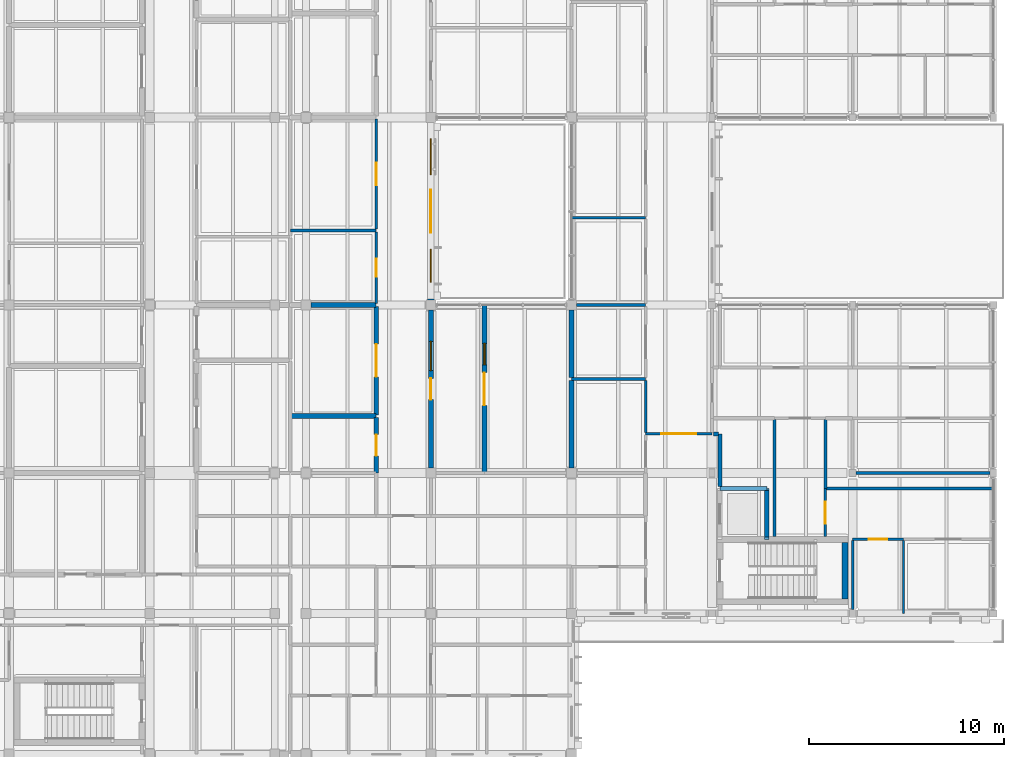
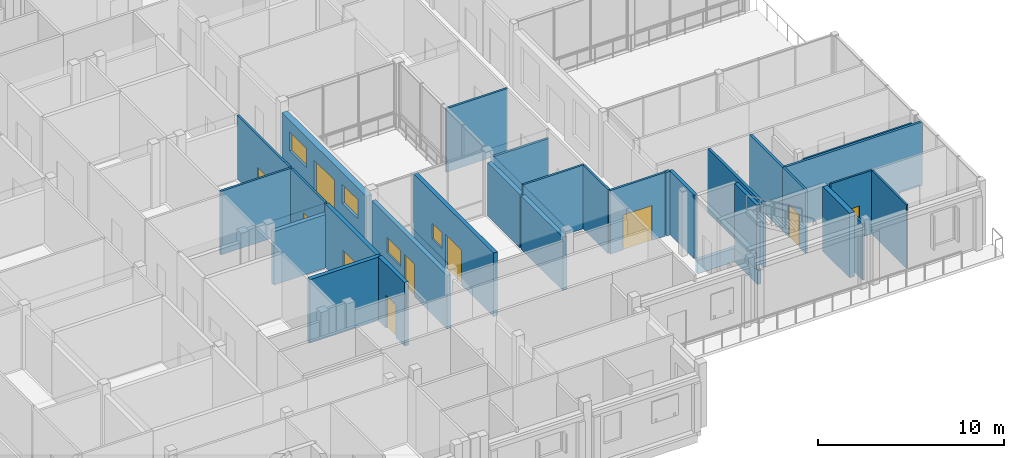
# One storey, part 119 of 146: 31 walls, 10 doors, 4 windows, 14 openings.
"""IFC4 building model written with IfcOpenShell, lengths in metres."""

from ifc_helpers import new_model, si_unit, direction, frame, frame_2d, origin, place, context, subcontext, project, spatial, rectangle, extrude, material, layer, layer_set, type_object, element, fill, save


model = new_model("IFC4")

# Units and contexts
model_context = context("Model", 3, precision=1e-05, world=origin(), true_north=direction((0.0, 1.0)))
body_context = subcontext(model_context, "Body", "Model", "MODEL_VIEW")
ifc_project = project(units=[si_unit("LENGTHUNIT", "METRE"), si_unit("AREAUNIT", "SQUARE_METRE"), si_unit("VOLUMEUNIT", "CUBIC_METRE"), si_unit("PLANEANGLEUNIT", "RADIAN"), si_unit("MASSUNIT", "GRAM", prefix="KILO")], contexts=[model_context])

# Site, building, storey
site_placement = place(None, origin())
site = spatial("IfcSite", under=ifc_project, at=site_placement, CompositionType="ELEMENT")
building_placement = place(site_placement, origin())
building = spatial("IfcBuilding", under=site, at=building_placement, Name="Hawrajan Terrace Health Centre", CompositionType="ELEMENT")
storey_placement = place(building_placement, frame((0.0, 0.0, 4.5)))
storey = spatial("IfcBuildingStorey", under=building, at=storey_placement, Name="L01", CompositionType="ELEMENT", Elevation=4.5)

# Wall
ifc_material_1 = material(Name="Gypsum board on acoustic stud framing")
ifc_layer_1 = layer(ifc_material_1, 0.139892578125)
ifc_layer_set_1 = layer_set([ifc_layer_1], Name="Gypsum board on acoustic stud framing")
wall_type_1 = type_object("IfcWallType", Name="ClinicalAcousticWall_140", PredefinedType="PARTITIONING", material=ifc_layer_set_1)
wall_1_placement = place(storey_placement, frame((129.405029296875, 31.02099609375, 0.0), z_axis=(0.0, 0.0, 1.0), x_axis=(1.0, 0.0, 0.0)))
element("IfcWall", 1, at=wall_1_placement, inside=storey, type_object=wall_type_1, Name="Interior wall IW-L01-0750", PredefinedType="PARTITIONING", context=body_context, shape_type="SweptSolid", body=[
    extrude(rectangle(XDim=4.39501953125, YDim=0.139892578125, at=frame_2d((2.197509765625, 0.0))), origin(), (0.0, 0.0, 1.0), 4.179931640625),
])

# Wall, opening, door
wall_2_placement = place(storey_placement, frame((133.800048828125, 27.27001953125, 0.0), z_axis=(0.0, 0.0, 1.0), x_axis=(0.0, 1.0, 0.0)))
wall_2 = element("IfcWall", 2, at=wall_2_placement, inside=storey, type_object=wall_type_1, Name="Interior wall IW-L01-0765", PredefinedType="PARTITIONING", context=body_context, shape_type="SweptSolid", body=[
    extrude(rectangle(XDim=3.680908203125, YDim=0.139892578125, at=frame_2d((1.84033203125, 0.0))), origin(), (0.0, 0.0, 1.0), 4.179931640625),
])
opening_1_placement = place(wall_2_placement, frame((1.380615234375, 0.0, 0.0)))
opening_1 = element("IfcOpeningElement", 3, at=opening_1_placement, cuts=wall_2, Name="Opening D-L01-397", PredefinedType="OPENING", context=body_context, shape_type="SweptSolid", body=[
    extrude(rectangle(XDim=0.919921875, YDim=2.10009765625, at=frame_2d((0.4599609375, 1.050048828125))), frame((0.0, 0.079833984375, 0.0), z_axis=(0.0, -1.0, 0.0), x_axis=(1.0, 0.0, 0.0)), (0.0, 0.0, 1.0), 0.159912109375),
])
ifc_material_2 = material(Name="Hardwood acoustic clinical door leaf and frame", Category="wood")
door_type_1 = type_object("IfcDoorType", Name="StaffOfficeDoor_920x2100", OperationType="NOTDEFINED", PredefinedType="DOOR", material=ifc_material_2)
door_1_placement = place(opening_1_placement, origin())
door_1 = element("IfcDoor", 4, at=door_1_placement, inside=storey, type_object=door_type_1, Name="Interior door D-L01-397", OperationType="SINGLE_SWING_LEFT", OverallHeight=2.10009765625, OverallWidth=0.919921875, PredefinedType="DOOR", context=body_context, shape_type="SweptSolid", body=[
    extrude(rectangle(XDim=0.919921875, YDim=2.10009765625, at=frame_2d((0.4599609375, 1.050048828125))), frame((0.0, 0.02490234375, 0.0), z_axis=(0.0, -1.0, 0.0), x_axis=(1.0, 0.0, 0.0)), (0.0, 0.0, 1.0), 0.050048828125),
])
fill(opening_1, door_1)

wall_3_placement = place(storey_placement, frame((133.800048828125, 31.091064453125, 0.0), z_axis=(0.0, 0.0, 1.0), x_axis=(0.0, 1.0, 0.0)))
wall_3 = element("IfcWall", 5, at=wall_3_placement, inside=storey, type_object=wall_type_1, Name="Interior wall IW-L01-0766", PredefinedType="PARTITIONING", context=body_context, shape_type="SweptSolid", body=[
    extrude(rectangle(XDim=5.638916015625, YDim=0.139892578125, at=frame_2d((2.8193359375, 0.0))), origin(), (0.0, 0.0, 1.0), 4.179931640625),
])
opening_2_placement = place(wall_3_placement, frame((2.239501953125, 0.0, 0.0)))
opening_2 = element("IfcOpeningElement", 6, at=opening_2_placement, cuts=wall_3, Name="Opening D-L01-398", PredefinedType="OPENING", context=body_context, shape_type="SweptSolid", body=[
    extrude(rectangle(XDim=1.159912109375, YDim=2.10009765625, at=frame_2d((0.580078125, 1.050048828125))), frame((0.0, 0.079833984375, 0.0), z_axis=(0.0, -1.0, 0.0), x_axis=(1.0, 0.0, 0.0)), (0.0, 0.0, 1.0), 0.159912109375),
])
door_type_2 = type_object("IfcDoorType", Name="ConsultDoor_1160x2100", OperationType="NOTDEFINED", PredefinedType="DOOR", material=ifc_material_2)
door_2_placement = place(opening_2_placement, origin())
door_2 = element("IfcDoor", 7, at=door_2_placement, inside=storey, type_object=door_type_2, Name="Interior door D-L01-398", OperationType="SINGLE_SWING_RIGHT", OverallHeight=2.10009765625, OverallWidth=1.159912109375, PredefinedType="DOOR", context=body_context, shape_type="SweptSolid", body=[
    extrude(rectangle(XDim=1.159912109375, YDim=2.10009765625, at=frame_2d((0.580078125, 1.050048828125))), frame((0.0, 0.02490234375, 0.0), z_axis=(0.0, -1.0, 0.0), x_axis=(1.0, 0.0, 0.0)), (0.0, 0.0, 1.0), 0.050048828125),
])
fill(opening_2, door_2)

# Walls
wall_4_placement = place(storey_placement, frame((143.800048828125, 23.406982421875, 0.0), z_axis=(0.0, 0.0, 1.0), x_axis=(1.0, 0.0, 0.0)))
element("IfcWall", 8, at=wall_4_placement, inside=storey, type_object=wall_type_1, Name="Interior wall IW-L01-0797", PredefinedType="PARTITIONING", context=body_context, shape_type="SweptSolid", body=[
    extrude(rectangle(XDim=3.800048828125, YDim=0.139892578125, at=frame_2d((1.89990234375, 0.0))), origin(), (0.0, 0.0, 1.0), 4.179931640625),
])
wall_5_placement = place(storey_placement, frame((144.050048828125, 27.199951171875, 0.0), z_axis=(0.0, 0.0, 1.0), x_axis=(1.0, 0.0, 0.0)))
element("IfcWall", 9, at=wall_5_placement, inside=storey, type_object=wall_type_1, Name="Interior wall IW-L01-0798", PredefinedType="PARTITIONING", context=body_context, shape_type="SweptSolid", body=[
    extrude(rectangle(XDim=3.550048828125, YDim=0.139892578125, at=frame_2d((1.77490234375, 0.0))), origin(), (0.0, 0.0, 1.0), 3.6201171875),
])
wall_6_placement = place(storey_placement, frame((143.800048828125, 31.674072265625, 0.0), z_axis=(0.0, 0.0, 1.0), x_axis=(1.0, 0.0, 0.0)))
element("IfcWall", 10, at=wall_6_placement, inside=storey, type_object=wall_type_1, Name="Interior wall IW-L01-0799", PredefinedType="PARTITIONING", context=body_context, shape_type="SweptSolid", body=[
    extrude(rectangle(XDim=3.800048828125, YDim=0.139892578125, at=frame_2d((1.89990234375, 0.0))), origin(), (0.0, 0.0, 1.0), 4.179931640625),
])
wall_7_placement = place(storey_placement, frame((147.60009765625, 20.669921875, 0.0), z_axis=(0.0, 0.0, 1.0), x_axis=(0.0, 1.0, 0.0)))
element("IfcWall", 11, at=wall_7_placement, inside=storey, type_object=wall_type_1, Name="Interior wall IW-L01-0808", PredefinedType="PARTITIONING", context=body_context, shape_type="SweptSolid", body=[
    extrude(rectangle(XDim=2.6669921875, YDim=0.139892578125, at=frame_2d((1.33349609375, 0.0))), origin(), (0.0, 0.0, 1.0), 4.179931640625),
])

# Wall, opening, door
wall_8_placement = place(storey_placement, frame((147.60009765625, 20.60009765625, 0.0), z_axis=(0.0, 0.0, 1.0), x_axis=(1.0, 0.0, 0.0)))
wall_8 = element("IfcWall", 12, at=wall_8_placement, inside=storey, type_object=wall_type_1, Name="Interior wall IW-L01-0809", PredefinedType="PARTITIONING", context=body_context, shape_type="SweptSolid", body=[
    extrude(rectangle(XDim=3.39990234375, YDim=0.139892578125, at=frame_2d((1.699951171875, 0.0))), origin(), (0.0, 0.0, 1.0), 4.179931640625),
])
opening_3_placement = place(wall_8_placement, frame((0.800048828125, 0.0, 0.0)))
opening_3 = element("IfcOpeningElement", 13, at=opening_3_placement, cuts=wall_8, Name="Opening D-L01-256", PredefinedType="OPENING", context=body_context, shape_type="SweptSolid", body=[
    extrude(rectangle(XDim=1.800048828125, YDim=2.300048828125, at=frame_2d((0.89990234375, 1.14990234375))), frame((0.0, 0.079833984375, 0.0), z_axis=(0.0, -1.0, 0.0), x_axis=(1.0, 0.0, 0.0)), (0.0, 0.0, 1.0), 0.159912109375),
])
door_type_3 = type_object("IfcDoorType", Name="EducationHallDoor_1800x2300", OperationType="DOUBLE_DOOR_SINGLE_SWING", PredefinedType="DOOR", material=ifc_material_2)
door_3_placement = place(opening_3_placement, origin())
door_3 = element("IfcDoor", 14, at=door_3_placement, inside=storey, type_object=door_type_3, Name="Interior door D-L01-256", OperationType="DOUBLE_DOOR_SINGLE_SWING", OverallHeight=2.300048828125, OverallWidth=1.800048828125, PredefinedType="DOOR", context=body_context, shape_type="SweptSolid", body=[
    extrude(rectangle(XDim=1.800048828125, YDim=2.300048828125, at=frame_2d((0.89990234375, 1.14990234375))), frame((0.0, 0.02490234375, 0.0), z_axis=(0.0, -1.0, 0.0), x_axis=(1.0, 0.0, 0.0)), (0.0, 0.0, 1.0), 0.050048828125),
])
fill(opening_3, door_3)

wall_9_placement = place(storey_placement, frame((156.800048828125, 15.340087890625, 0.0), z_axis=(0.0, 0.0, 1.0), x_axis=(0.0, 1.0, 0.0)))
wall_9 = element("IfcWall", 15, at=wall_9_placement, inside=storey, type_object=wall_type_1, Name="Interior wall IW-L01-0823", PredefinedType="PARTITIONING", context=body_context, shape_type="SweptSolid", body=[
    extrude(rectangle(XDim=2.4599609375, YDim=0.139892578125, at=frame_2d((1.22998046875, 0.0))), origin(), (0.0, 0.0, 1.0), 4.179931640625),
])
opening_4_placement = place(wall_9_placement, frame((0.669921875, 0.0, 0.0)))
opening_4 = element("IfcOpeningElement", 16, at=opening_4_placement, cuts=wall_9, Name="Opening D-L01-282", PredefinedType="OPENING", context=body_context, shape_type="SweptSolid", body=[
    extrude(rectangle(XDim=1.1201171875, YDim=2.14990234375, at=frame_2d((0.56005859375, 1.074951171875))), frame((0.0, 0.079833984375, 0.0), z_axis=(0.0, -1.0, 0.0), x_axis=(1.0, 0.0, 0.0)), (0.0, 0.0, 1.0), 0.159912109375),
])
door_type_4 = type_object("IfcDoorType", Name="DentalSurgeryDoor_1120x2150", OperationType="NOTDEFINED", PredefinedType="DOOR", material=ifc_material_2)
door_4_placement = place(opening_4_placement, origin())
door_4 = element("IfcDoor", 17, at=door_4_placement, inside=storey, type_object=door_type_4, Name="Interior door D-L01-282", OperationType="SINGLE_SWING_RIGHT", OverallHeight=2.14990234375, OverallWidth=1.1201171875, PredefinedType="DOOR", context=body_context, shape_type="SweptSolid", body=[
    extrude(rectangle(XDim=1.1201171875, YDim=2.14990234375, at=frame_2d((0.56005859375, 1.074951171875))), frame((0.0, 0.02490234375, 0.0), z_axis=(0.0, -1.0, 0.0), x_axis=(1.0, 0.0, 0.0)), (0.0, 0.0, 1.0), 0.050048828125),
])
fill(opening_4, door_4)

# Wall, openings, windows, door
ifc_material_3 = material(Name="Precast concrete C40/50", Category="concrete")
ifc_layer_2 = layer(ifc_material_3, 0.360107421875)
ifc_layer_set_2 = layer_set([ifc_layer_2], Name="Precast concrete C40/50")
wall_type_2 = type_object("IfcWallType", Name="CoralPodiumWall_360", PredefinedType="SOLIDWALL", material=ifc_layer_set_2)
wall_10_placement = place(storey_placement, frame((136.60009765625, 27.449951171875, 0.0), z_axis=(0.0, 0.0, 1.0), x_axis=(0.0, 1.0, 0.0)))
wall_10 = element("IfcWall", 18, at=wall_10_placement, inside=storey, type_object=wall_type_2, Name="Exterior wall EW-L01-V17-03-1", PredefinedType="SOLIDWALL", context=body_context, shape_type="SweptSolid", body=[
    extrude(rectangle(XDim=9.10009765625, YDim=0.360107421875, at=frame_2d((4.550048828125, 0.0))), origin(), (0.0, 0.0, 1.0), 3.52001953125),
])
opening_5_placement = place(wall_10_placement, frame((3.449951171875, 0.0, 0.0)))
opening_5 = element("IfcOpeningElement", 19, at=opening_5_placement, cuts=wall_10, Name="Opening D-L01-E015", PredefinedType="OPENING", context=body_context, shape_type="SweptSolid", body=[
    extrude(rectangle(XDim=2.199951171875, YDim=2.5, at=frame_2d((1.10009765625, 1.25))), frame((0.0, 0.18994140625, 0.0), z_axis=(0.0, -1.0, 0.0), x_axis=(1.0, 0.0, 0.0)), (0.0, 0.0, 1.0), 0.380126953125),
])
opening_6_placement = place(wall_10_placement, frame((0.9150390625, 0.0, 1.5)))
opening_6 = element("IfcOpeningElement", 20, at=opening_6_placement, cuts=wall_10, Name="Opening W-L01-092", PredefinedType="OPENING", context=body_context, shape_type="SweptSolid", body=[
    extrude(rectangle(XDim=1.679931640625, YDim=1.25, at=frame_2d((0.83984375, 0.625))), frame((0.0, 0.18994140625, 0.0), z_axis=(0.0, -1.0, 0.0), x_axis=(1.0, 0.0, 0.0)), (0.0, 0.0, 1.0), 0.380126953125),
])
opening_7_placement = place(wall_10_placement, frame((6.419921875, 0.0, 1.5)))
opening_7 = element("IfcOpeningElement", 21, at=opening_7_placement, cuts=wall_10, Name="Opening W-L01-093", PredefinedType="OPENING", context=body_context, shape_type="SweptSolid", body=[
    extrude(rectangle(XDim=1.85009765625, YDim=1.25, at=frame_2d((0.925048828125, 0.625))), frame((0.0, 0.18994140625, 0.0), z_axis=(0.0, -1.0, 0.0), x_axis=(1.0, 0.0, 0.0)), (0.0, 0.0, 1.0), 0.380126953125),
])
ifc_material_4 = material(Name="Anodized bronze frame with double low-E glazing", Category="glass")
window_type_1 = type_object("IfcWindowType", Name="FacadeWindow_1680x1250", PartitioningType="DOUBLE_PANEL_VERTICAL", PredefinedType="WINDOW", material=ifc_material_4)
window_1_placement = place(opening_6_placement, origin())
window_1 = element("IfcWindow", 22, at=window_1_placement, inside=storey, type_object=window_type_1, Name="Window W-L01-092", OverallHeight=1.25, OverallWidth=1.679931640625, PartitioningType="DOUBLE_PANEL_VERTICAL", PredefinedType="WINDOW", context=body_context, shape_type="SweptSolid", body=[
    extrude(rectangle(XDim=1.679931640625, YDim=1.25, at=frame_2d((0.83984375, 0.625))), frame((0.0, 0.030029296875, 0.0), z_axis=(0.0, -1.0, 0.0), x_axis=(1.0, 0.0, 0.0)), (0.0, 0.0, 1.0), 0.06005859375),
])
fill(opening_6, window_1)
window_type_2 = type_object("IfcWindowType", Name="FacadeWindow_1850x1250", PartitioningType="DOUBLE_PANEL_VERTICAL", PredefinedType="WINDOW", material=ifc_material_4)
window_2_placement = place(opening_7_placement, origin())
window_2 = element("IfcWindow", 23, at=window_2_placement, inside=storey, type_object=window_type_2, Name="Window W-L01-093", OverallHeight=1.25, OverallWidth=1.85009765625, PartitioningType="DOUBLE_PANEL_VERTICAL", PredefinedType="WINDOW", context=body_context, shape_type="SweptSolid", body=[
    extrude(rectangle(XDim=1.85009765625, YDim=1.25, at=frame_2d((0.925048828125, 0.625))), frame((0.0, 0.030029296875, 0.0), z_axis=(0.0, -1.0, 0.0), x_axis=(1.0, 0.0, 0.0)), (0.0, 0.0, 1.0), 0.06005859375),
])
fill(opening_7, window_2)
ifc_material_5 = material(Name="Anodized bronze thermally broken fire-rated glazed door")
door_type_5 = type_object("IfcDoorType", Name="ServiceReceivingDoor_2200x2500", OperationType="DOUBLE_DOOR_SINGLE_SWING", PredefinedType="DOOR", material=ifc_material_5)
door_5_placement = place(opening_5_placement, frame((2.199951171875, 0.0, 0.0), z_axis=(0.0, 0.0, 1.0), x_axis=(-1.0, 0.0, 0.0)))
door_5 = element("IfcDoor", 24, at=door_5_placement, inside=storey, type_object=door_type_5, Name="Clean Goods Receiving Door D-L01-E015", OperationType="DOUBLE_DOOR_SINGLE_SWING", OverallHeight=2.5, OverallWidth=2.199951171875, PredefinedType="DOOR", context=body_context, shape_type="SweptSolid", body=[
    extrude(rectangle(XDim=2.199951171875, YDim=2.5, at=frame_2d((1.10009765625, 1.25))), frame((0.0, 0.02490234375, 0.0), z_axis=(0.0, -1.0, 0.0), x_axis=(1.0, 0.0, 0.0)), (0.0, 0.0, 1.0), 0.050048828125),
])
fill(opening_5, door_5)

# Walls
ifc_material_6 = material(Name="Concrete C40/50", Category="concrete")
ifc_layer_3 = layer(ifc_material_6, 0.300048828125)
ifc_layer_set_3 = layer_set([ifc_layer_3], Name="Concrete C40/50")
wall_type_3 = type_object("IfcWallType", Name="CoreShearWall_RC300", PredefinedType="SHEAR", material=ifc_layer_set_3)
wall_11_placement = place(storey_placement, frame((157.800048828125, 12.14990234375, 0.0), z_axis=(0.0, 0.0, 1.0), x_axis=(0.0, 1.0, 0.0)))
element("IfcWall", 25, at=wall_11_placement, inside=storey, type_object=wall_type_3, Name="Core shear wall SW-S8-L01-E", PredefinedType="SHEAR", context=body_context, shape_type="SweptSolid", body=[
    extrude(rectangle(XDim=2.900146484375, YDim=0.300048828125, at=frame_2d((1.4501953125, 0.0))), origin(), (0.0, 0.0, 1.0), 4.25),
])
ifc_layer_4 = layer(ifc_material_1, 0.159912109375)
ifc_layer_set_4 = layer_set([ifc_layer_4], Name="Gypsum board on acoustic stud framing")
wall_type_4 = type_object("IfcWallType", Name="CorridorFireWall_160", PredefinedType="PARTITIONING", material=ifc_layer_set_4)
wall_12_placement = place(storey_placement, frame((156.800048828125, 17.800048828125, 0.0), z_axis=(0.0, 0.0, 1.0), x_axis=(0.0, 1.0, 0.0)))
element("IfcWall", 26, at=wall_12_placement, inside=storey, type_object=wall_type_4, Name="Interior wall IW-L01-0889", PredefinedType="PARTITIONING", context=body_context, shape_type="SweptSolid", body=[
    extrude(rectangle(XDim=3.530029296875, YDim=0.159912109375, at=frame_2d((1.76513671875, 0.0))), origin(), (0.0, 0.0, 1.0), 4.179931640625),
])
wall_13_placement = place(storey_placement, frame((154.199951171875, 15.340087890625, 0.0), z_axis=(0.0, 0.0, 1.0), x_axis=(0.0, 1.0, 0.0)))
element("IfcWall", 27, at=wall_13_placement, inside=storey, type_object=wall_type_4, Name="Interior wall IW-L01-0890", PredefinedType="PARTITIONING", context=body_context, shape_type="SweptSolid", body=[
    extrude(rectangle(XDim=5.989990234375, YDim=0.159912109375, at=frame_2d((2.9951171875, 0.0))), origin(), (0.0, 0.0, 1.0), 4.179931640625),
])
wall_14_placement = place(storey_placement, frame((165.39990234375, 17.800048828125, 0.0), z_axis=(0.0, 0.0, 1.0), x_axis=(-1.0, 0.0, 0.0)))
element("IfcWall", 28, at=wall_14_placement, inside=storey, type_object=wall_type_4, Name="Interior wall IW-L01-0891", PredefinedType="PARTITIONING", context=body_context, shape_type="SweptSolid", body=[
    extrude(rectangle(XDim=8.599853515625, YDim=0.159912109375, at=frame_2d((4.2998046875, 0.0))), origin(), (0.0, 0.0, 1.0), 4.179931640625),
])
wall_15_placement = place(storey_placement, frame((158.3798828125, 18.60009765625, 0.0), z_axis=(0.0, 0.0, 1.0), x_axis=(1.0, 0.0, 0.0)))
element("IfcWall", 29, at=wall_15_placement, inside=storey, type_object=wall_type_4, Name="Interior wall IW-L01-0973", PredefinedType="PARTITIONING", context=body_context, shape_type="SweptSolid", body=[
    extrude(rectangle(XDim=6.860107421875, YDim=0.159912109375, at=frame_2d((3.43017578125, 0.0))), origin(), (0.0, 0.0, 1.0), 3.6201171875),
])
ifc_material_7 = material(Name="Cross-laminated timber CLT C24", Category="wood")
ifc_layer_5 = layer(ifc_material_7, 0.199951171875)
ifc_layer_set_5 = layer_set([ifc_layer_5], Name="Cross-laminated timber CLT C24")
wall_type_5 = type_object("IfcWallType", Name="FireCompartmentWall_200", PredefinedType="PARTITIONING", material=ifc_layer_set_5)
wall_16_placement = place(storey_placement, frame((151.39990234375, 17.909912109375, 0.0), z_axis=(0.0, 0.0, 1.0), x_axis=(0.0, 1.0, 0.0)))
element("IfcWall", 30, at=wall_16_placement, inside=storey, type_object=wall_type_5, Name="Interior wall IW-L01-0853", PredefinedType="PARTITIONING", context=body_context, shape_type="SweptSolid", body=[
    extrude(rectangle(XDim=2.690185546875, YDim=0.199951171875, at=frame_2d((1.34521484375, 0.0))), origin(), (0.0, 0.0, 1.0), 4.179931640625),
])
wall_17_placement = place(storey_placement, frame((151.320068359375, 20.60009765625, 0.0), z_axis=(0.0, 0.0, 1.0), x_axis=(-1.0, 0.0, 0.0)))
element("IfcWall", 31, at=wall_17_placement, inside=storey, type_object=wall_type_5, Name="Interior wall IW-L01-0854", PredefinedType="PARTITIONING", context=body_context, shape_type="SweptSolid", body=[
    extrude(rectangle(XDim=0.260009765625, YDim=0.199951171875, at=frame_2d((0.1298828125, 0.0))), origin(), (0.0, 0.0, 1.0), 4.179931640625),
])
ifc_layer_6 = layer(ifc_material_6, 0.25)
ifc_layer_set_6 = layer_set([ifc_layer_6], Name="Concrete C40/50")
wall_type_6 = type_object("IfcWallType", Name="RadiationShieldWall_RC250", PredefinedType="SOLIDWALL", material=ifc_layer_set_6)
wall_18_placement = place(storey_placement, frame((129.405029296875, 21.507080078125, 0.0), z_axis=(0.0, 0.0, 1.0), x_axis=(1.0, 0.0, 0.0)))
element("IfcWall", 32, at=wall_18_placement, inside=storey, type_object=wall_type_6, Name="Interior wall IW-L01-0747", PredefinedType="SOLIDWALL", context=body_context, shape_type="SweptSolid", body=[
    extrude(rectangle(XDim=4.39501953125, YDim=0.25, at=frame_2d((2.197509765625, 0.0))), origin(), (0.0, 0.0, 1.0), 4.179931640625),
])
wall_19_placement = place(storey_placement, frame((130.449951171875, 27.199951171875, 0.0), z_axis=(0.0, 0.0, 1.0), x_axis=(1.0, 0.0, 0.0)))
element("IfcWall", 33, at=wall_19_placement, inside=storey, type_object=wall_type_6, Name="Interior wall IW-L01-0749", PredefinedType="SOLIDWALL", context=body_context, shape_type="SweptSolid", body=[
    extrude(rectangle(XDim=3.35009765625, YDim=0.25, at=frame_2d((1.675048828125, 0.0))), origin(), (0.0, 0.0, 1.0), 3.52001953125),
])

# Wall, opening, door
wall_20_placement = place(storey_placement, frame((133.800048828125, 18.60009765625, 0.0), z_axis=(0.0, 0.0, 1.0), x_axis=(0.0, 1.0, 0.0)))
wall_20 = element("IfcWall", 34, at=wall_20_placement, inside=storey, type_object=wall_type_6, Name="Interior wall IW-L01-0763", PredefinedType="SOLIDWALL", context=body_context, shape_type="SweptSolid", body=[
    extrude(rectangle(XDim=2.8369140625, YDim=0.25, at=frame_2d((1.41845703125, 0.0))), origin(), (0.0, 0.0, 1.0), 4.179931640625),
])
opening_8_placement = place(wall_20_placement, frame((0.87841796875, 0.0, 0.0)))
opening_8 = element("IfcOpeningElement", 35, at=opening_8_placement, cuts=wall_20, Name="Opening D-L01-395", PredefinedType="OPENING", context=body_context, shape_type="SweptSolid", body=[
    extrude(rectangle(XDim=1.080078125, YDim=2.14990234375, at=frame_2d((0.5400390625, 1.074951171875))), frame((0.0, 0.135009765625, 0.0), z_axis=(0.0, -1.0, 0.0), x_axis=(1.0, 0.0, 0.0)), (0.0, 0.0, 1.0), 0.27001953125),
])
ifc_material_8 = material(Name="Timber-veneered acoustic fire-resisting door assembly", Category="wood")
door_type_6 = type_object("IfcDoorType", Name="ClinicalFireDoor_1080x2150", OperationType="NOTDEFINED", PredefinedType="DOOR", material=ifc_material_8)
door_6_placement = place(opening_8_placement, origin())
door_6 = element("IfcDoor", 36, at=door_6_placement, inside=storey, type_object=door_type_6, Name="Interior door D-L01-395", OperationType="SINGLE_SWING_LEFT", OverallHeight=2.14990234375, OverallWidth=1.080078125, PredefinedType="DOOR", context=body_context, shape_type="SweptSolid", body=[
    extrude(rectangle(XDim=1.080078125, YDim=2.14990234375, at=frame_2d((0.5400390625, 1.074951171875))), frame((0.0, 0.02490234375, 0.0), z_axis=(0.0, -1.0, 0.0), x_axis=(1.0, 0.0, 0.0)), (0.0, 0.0, 1.0), 0.050048828125),
])
fill(opening_8, door_6)

wall_21_placement = place(storey_placement, frame((133.800048828125, 21.576904296875, 0.0), z_axis=(0.0, 0.0, 1.0), x_axis=(0.0, 1.0, 0.0)))
wall_21 = element("IfcWall", 37, at=wall_21_placement, inside=storey, type_object=wall_type_6, Name="Interior wall IW-L01-0764", PredefinedType="SOLIDWALL", context=body_context, shape_type="SweptSolid", body=[
    extrude(rectangle(XDim=5.552978515625, YDim=0.25, at=frame_2d((2.7763671875, 0.0))), origin(), (0.0, 0.0, 1.0), 4.179931640625),
])
opening_9_placement = place(wall_21_placement, frame((1.9365234375, 0.0, 0.0)))
opening_9 = element("IfcOpeningElement", 38, at=opening_9_placement, cuts=wall_21, Name="Opening D-L01-396", PredefinedType="OPENING", context=body_context, shape_type="SweptSolid", body=[
    extrude(rectangle(XDim=1.679931640625, YDim=2.300048828125, at=frame_2d((0.83984375, 1.14990234375))), frame((0.0, 0.135009765625, 0.0), z_axis=(0.0, -1.0, 0.0), x_axis=(1.0, 0.0, 0.0)), (0.0, 0.0, 1.0), 0.27001953125),
])
door_type_7 = type_object("IfcDoorType", Name="ImagingShieldedDoor_1680x2300", OperationType="DOUBLE_DOOR_SINGLE_SWING", PredefinedType="DOOR", material=ifc_material_8)
door_7_placement = place(opening_9_placement, origin())
door_7 = element("IfcDoor", 39, at=door_7_placement, inside=storey, type_object=door_type_7, Name="Interior door D-L01-396", OperationType="DOUBLE_DOOR_SINGLE_SWING", OverallHeight=2.300048828125, OverallWidth=1.679931640625, PredefinedType="DOOR", context=body_context, shape_type="SweptSolid", body=[
    extrude(rectangle(XDim=1.679931640625, YDim=2.300048828125, at=frame_2d((0.83984375, 1.14990234375))), frame((0.0, 0.02490234375, 0.0), z_axis=(0.0, -1.0, 0.0), x_axis=(1.0, 0.0, 0.0)), (0.0, 0.0, 1.0), 0.050048828125),
])
fill(opening_9, door_7)

# Wall, openings, door, window
wall_22_placement = place(storey_placement, frame((136.60009765625, 18.85009765625, 0.0), z_axis=(0.0, 0.0, 1.0), x_axis=(0.0, 1.0, 0.0)))
wall_22 = element("IfcWall", 40, at=wall_22_placement, inside=storey, type_object=wall_type_6, Name="Interior wall IW-L01-0776", PredefinedType="SOLIDWALL", context=body_context, shape_type="SweptSolid", body=[
    extrude(rectangle(XDim=8.099853515625, YDim=0.25, at=frame_2d((4.0498046875, 0.0))), origin(), (0.0, 0.0, 1.0), 3.52001953125),
])
opening_10_placement = place(wall_22_placement, frame((3.510009765625, 0.0, 0.0)))
opening_10 = element("IfcOpeningElement", 41, at=opening_10_placement, cuts=wall_22, Name="Opening D-L01-405", PredefinedType="OPENING", context=body_context, shape_type="SweptSolid", body=[
    extrude(rectangle(XDim=1.080078125, YDim=2.14990234375, at=frame_2d((0.5400390625, 1.074951171875))), frame((0.0, 0.135009765625, 0.0), z_axis=(0.0, -1.0, 0.0), x_axis=(1.0, 0.0, 0.0)), (0.0, 0.0, 1.0), 0.27001953125),
])
opening_11_placement = place(wall_22_placement, frame((4.989990234375, 0.0, 1.10009765625)))
opening_11 = element("IfcOpeningElement", 42, at=opening_11_placement, cuts=wall_22, Name="Opening W-L01-I05", PredefinedType="OPENING", context=body_context, shape_type="SweptSolid", body=[
    extrude(rectangle(XDim=1.5, YDim=1.0, at=frame_2d((0.75, 0.5))), frame((0.0, 0.135009765625, 0.0), z_axis=(0.0, -1.0, 0.0), x_axis=(1.0, 0.0, 0.0)), (0.0, 0.0, 1.0), 0.27001953125),
])
door_8_placement = place(opening_10_placement, origin())
door_8 = element("IfcDoor", 43, at=door_8_placement, inside=storey, type_object=door_type_6, Name="Interior door D-L01-405", OperationType="SINGLE_SWING_LEFT", OverallHeight=2.14990234375, OverallWidth=1.080078125, PredefinedType="DOOR", context=body_context, shape_type="SweptSolid", body=[
    extrude(rectangle(XDim=1.080078125, YDim=2.14990234375, at=frame_2d((0.5400390625, 1.074951171875))), frame((0.0, 0.02490234375, 0.0), z_axis=(0.0, -1.0, 0.0), x_axis=(1.0, 0.0, 0.0)), (0.0, 0.0, 1.0), 0.050048828125),
])
fill(opening_10, door_8)
ifc_material_9 = material(Name="Lead-lined and acoustic internal observation glazing", Category="glass")
window_type_3 = type_object("IfcWindowType", Name="LeadGlassControlWindow_1500x1000", PartitioningType="SINGLE_PANEL", PredefinedType="WINDOW", material=ifc_material_9)
window_3_placement = place(opening_11_placement, origin())
window_3 = element("IfcWindow", 44, at=window_3_placement, inside=storey, type_object=window_type_3, Name="Observation window W-L01-I05", OverallHeight=1.0, OverallWidth=1.5, PartitioningType="SINGLE_PANEL", PredefinedType="WINDOW", context=body_context, shape_type="SweptSolid", body=[
    extrude(rectangle(XDim=1.5, YDim=1.0, at=frame_2d((0.75, 0.5))), frame((0.0, 0.030029296875, 0.0), z_axis=(0.0, -1.0, 0.0), x_axis=(1.0, 0.0, 0.0)), (0.0, 0.0, 1.0), 0.06005859375),
])
fill(opening_11, window_3)

wall_23_placement = place(storey_placement, frame((139.343017578125, 18.60009765625, 0.0), z_axis=(0.0, 0.0, 1.0), x_axis=(0.0, 1.0, 0.0)))
wall_23 = element("IfcWall", 45, at=wall_23_placement, inside=storey, type_object=wall_type_6, Name="Interior wall IW-L01-0786", PredefinedType="SOLIDWALL", context=body_context, shape_type="SweptSolid", body=[
    extrude(rectangle(XDim=8.599853515625, YDim=0.25, at=frame_2d((4.2998046875, 0.0))), origin(), (0.0, 0.0, 1.0), 4.179931640625),
])
opening_12_placement = place(wall_23_placement, frame((3.4599609375, 0.0, 0.0)))
opening_12 = element("IfcOpeningElement", 46, at=opening_12_placement, cuts=wall_23, Name="Opening D-L01-406", PredefinedType="OPENING", context=body_context, shape_type="SweptSolid", body=[
    extrude(rectangle(XDim=1.679931640625, YDim=2.300048828125, at=frame_2d((0.83984375, 1.14990234375))), frame((0.0, 0.135009765625, 0.0), z_axis=(0.0, -1.0, 0.0), x_axis=(1.0, 0.0, 0.0)), (0.0, 0.0, 1.0), 0.27001953125),
])
opening_13_placement = place(wall_23_placement, frame((5.5400390625, 0.0, 1.10009765625)))
opening_13 = element("IfcOpeningElement", 47, at=opening_13_placement, cuts=wall_23, Name="Opening W-L01-I06", PredefinedType="OPENING", context=body_context, shape_type="SweptSolid", body=[
    extrude(rectangle(XDim=1.10009765625, YDim=1.050048828125, at=frame_2d((0.550048828125, 0.52490234375))), frame((0.0, 0.135009765625, 0.0), z_axis=(0.0, -1.0, 0.0), x_axis=(1.0, 0.0, 0.0)), (0.0, 0.0, 1.0), 0.27001953125),
])
door_9_placement = place(opening_12_placement, origin())
door_9 = element("IfcDoor", 48, at=door_9_placement, inside=storey, type_object=door_type_7, Name="Interior door D-L01-406", OperationType="DOUBLE_DOOR_SINGLE_SWING", OverallHeight=2.300048828125, OverallWidth=1.679931640625, PredefinedType="DOOR", context=body_context, shape_type="SweptSolid", body=[
    extrude(rectangle(XDim=1.679931640625, YDim=2.300048828125, at=frame_2d((0.83984375, 1.14990234375))), frame((0.0, 0.02490234375, 0.0), z_axis=(0.0, -1.0, 0.0), x_axis=(1.0, 0.0, 0.0)), (0.0, 0.0, 1.0), 0.050048828125),
])
fill(opening_12, door_9)
window_type_4 = type_object("IfcWindowType", Name="ScrubViewWindow_1100x1050", PartitioningType="SINGLE_PANEL", PredefinedType="WINDOW", material=ifc_material_9)
window_4_placement = place(opening_13_placement, origin())
window_4 = element("IfcWindow", 49, at=window_4_placement, inside=storey, type_object=window_type_4, Name="Observation window W-L01-I06", OverallHeight=1.050048828125, OverallWidth=1.10009765625, PartitioningType="SINGLE_PANEL", PredefinedType="WINDOW", context=body_context, shape_type="SweptSolid", body=[
    extrude(rectangle(XDim=1.10009765625, YDim=1.050048828125, at=frame_2d((0.550048828125, 0.52490234375))), frame((0.0, 0.030029296875, 0.0), z_axis=(0.0, -1.0, 0.0), x_axis=(1.0, 0.0, 0.0)), (0.0, 0.0, 1.0), 0.06005859375),
])
fill(opening_13, window_4)

# Walls
wall_24_placement = place(storey_placement, frame((143.800048828125, 18.85009765625, 0.0), z_axis=(0.0, 0.0, 1.0), x_axis=(0.0, 1.0, 0.0)))
element("IfcWall", 50, at=wall_24_placement, inside=storey, type_object=wall_type_6, Name="Interior wall IW-L01-0795", PredefinedType="SOLIDWALL", context=body_context, shape_type="SweptSolid", body=[
    extrude(rectangle(XDim=4.48681640625, YDim=0.25, at=frame_2d((2.243408203125, 0.0))), origin(), (0.0, 0.0, 1.0), 3.52001953125),
])
wall_25_placement = place(storey_placement, frame((143.800048828125, 23.47705078125, 0.0), z_axis=(0.0, 0.0, 1.0), x_axis=(0.0, 1.0, 0.0)))
element("IfcWall", 51, at=wall_25_placement, inside=storey, type_object=wall_type_6, Name="Interior wall IW-L01-0796", PredefinedType="SOLIDWALL", context=body_context, shape_type="SweptSolid", body=[
    extrude(rectangle(XDim=3.472900390625, YDim=0.25, at=frame_2d((1.736328125, 0.0))), origin(), (0.0, 0.0, 1.0), 3.52001953125),
])
ifc_layer_7 = layer(ifc_material_6, 0.219970703125)
ifc_layer_set_7 = layer_set([ifc_layer_7], Name="Concrete C40/50")
wall_type_7 = type_object("IfcWallType", Name="ShaftWall_RC220", PredefinedType="SOLIDWALL", material=ifc_layer_set_7)
wall_26_placement = place(storey_placement, frame((153.800048828125, 15.31005859375, 0.0), z_axis=(0.0, 0.0, 1.0), x_axis=(0.0, 1.0, 0.0)))
element("IfcWall", 52, at=wall_26_placement, inside=storey, type_object=wall_type_7, Name="Lift shaft wall LW-LC-06-L01-E", PredefinedType="SOLIDWALL", context=body_context, shape_type="SweptSolid", body=[
    extrude(rectangle(XDim=2.3798828125, YDim=0.219970703125, at=frame_2d((1.18994140625, 0.0))), origin(), (0.0, 0.0, 1.0), 4.25),
])
wall_27_placement = place(storey_placement, frame((153.800048828125, 15.199951171875, -0.89990234375), z_axis=(0.0, 0.0, 1.0), x_axis=(0.0, 1.0, 0.0)))
element("IfcWall", 53, at=wall_27_placement, inside=storey, type_object=wall_type_7, Name="Lift pit wall LC-06-E", PredefinedType="SOLIDWALL", context=body_context, shape_type="SweptSolid", body=[
    extrude(rectangle(XDim=2.60009765625, YDim=0.219970703125, at=frame_2d((1.300048828125, 0.0))), origin(), (0.0, 0.0, 1.0), 0.89990234375),
])
wall_28_placement = place(storey_placement, frame((151.39990234375, 17.800048828125, -0.89990234375), z_axis=(0.0, 0.0, 1.0), x_axis=(1.0, 0.0, 0.0)))
element("IfcWall", 54, at=wall_28_placement, inside=storey, type_object=wall_type_7, Name="Lift pit wall LC-06-N", PredefinedType="SOLIDWALL", context=body_context, shape_type="SweptSolid", body=[
    extrude(rectangle(XDim=2.400146484375, YDim=0.219970703125, at=frame_2d((1.2001953125, 0.0))), origin(), (0.0, 0.0, 1.0), 0.89990234375),
])

# Wall, opening, door
ifc_material_10 = material(Name="Moisture-resistant board on stud framing")
ifc_layer_8 = layer(ifc_material_10, 0.1201171875)
ifc_layer_set_8 = layer_set([ifc_layer_8], Name="Moisture-resistant board on stud framing")
wall_type_8 = type_object("IfcWallType", Name="WetRoomPartition_120", PredefinedType="PLUMBINGWALL", material=ifc_layer_set_8)
wall_29_placement = place(storey_placement, frame((158.199951171875, 15.199951171875, 0.0), z_axis=(0.0, 0.0, 1.0), x_axis=(1.0, 0.0, 0.0)))
wall_29 = element("IfcWall", 55, at=wall_29_placement, inside=storey, type_object=wall_type_8, Name="Interior wall IW-L01-0825", PredefinedType="PLUMBINGWALL", context=body_context, shape_type="SweptSolid", body=[
    extrude(rectangle(XDim=2.60009765625, YDim=0.1201171875, at=frame_2d((1.300048828125, 0.0))), origin(), (0.0, 0.0, 1.0), 4.179931640625),
])
opening_14_placement = place(wall_29_placement, frame((0.824951171875, 0.0, 0.0)))
opening_14 = element("IfcOpeningElement", 56, at=opening_14_placement, cuts=wall_29, Name="Opening D-L01-304", PredefinedType="OPENING", context=body_context, shape_type="SweptSolid", body=[
    extrude(rectangle(XDim=0.949951171875, YDim=2.10009765625, at=frame_2d((0.47509765625, 1.050048828125))), frame((0.0, 0.070068359375, 0.0), z_axis=(0.0, -1.0, 0.0), x_axis=(1.0, 0.0, 0.0)), (0.0, 0.0, 1.0), 0.14013671875),
])
door_type_8 = type_object("IfcDoorType", Name="AccessibleWCDoor_950x2100", OperationType="NOTDEFINED", PredefinedType="DOOR", material=ifc_material_2)
door_10_placement = place(opening_14_placement, origin())
door_10 = element("IfcDoor", 57, at=door_10_placement, inside=storey, type_object=door_type_8, Name="Interior door D-L01-304", OperationType="SINGLE_SWING_RIGHT", OverallHeight=2.10009765625, OverallWidth=0.949951171875, PredefinedType="DOOR", context=body_context, shape_type="SweptSolid", body=[
    extrude(rectangle(XDim=0.949951171875, YDim=2.10009765625, at=frame_2d((0.47509765625, 1.050048828125))), frame((0.0, 0.02490234375, 0.0), z_axis=(0.0, -1.0, 0.0), x_axis=(1.0, 0.0, 0.0)), (0.0, 0.0, 1.0), 0.050048828125),
])
fill(opening_14, door_10)

# Walls
wall_30_placement = place(storey_placement, frame((160.800048828125, 11.39990234375, 0.0), z_axis=(0.0, 0.0, 1.0), x_axis=(0.0, 1.0, 0.0)))
element("IfcWall", 58, at=wall_30_placement, inside=storey, type_object=wall_type_8, Name="Interior wall IW-L01-0833", PredefinedType="PLUMBINGWALL", context=body_context, shape_type="SweptSolid", body=[
    extrude(rectangle(XDim=3.72998046875, YDim=0.1201171875, at=frame_2d((1.864990234375, 0.0))), origin(), (0.0, 0.0, 1.0), 4.179931640625),
])
wall_31_placement = place(storey_placement, frame((158.199951171875, 11.610107421875, 0.0), z_axis=(0.0, 0.0, 1.0), x_axis=(0.0, 1.0, 0.0)))
element("IfcWall", 59, at=wall_31_placement, inside=storey, type_object=wall_type_8, Name="Interior wall IW-L01-0928", PredefinedType="PLUMBINGWALL", context=body_context, shape_type="SweptSolid", body=[
    extrude(rectangle(XDim=3.519775390625, YDim=0.1201171875, at=frame_2d((1.759765625, 0.0))), origin(), (0.0, 0.0, 1.0), 3.739990234375),
])

save(model, "model.ifc")
